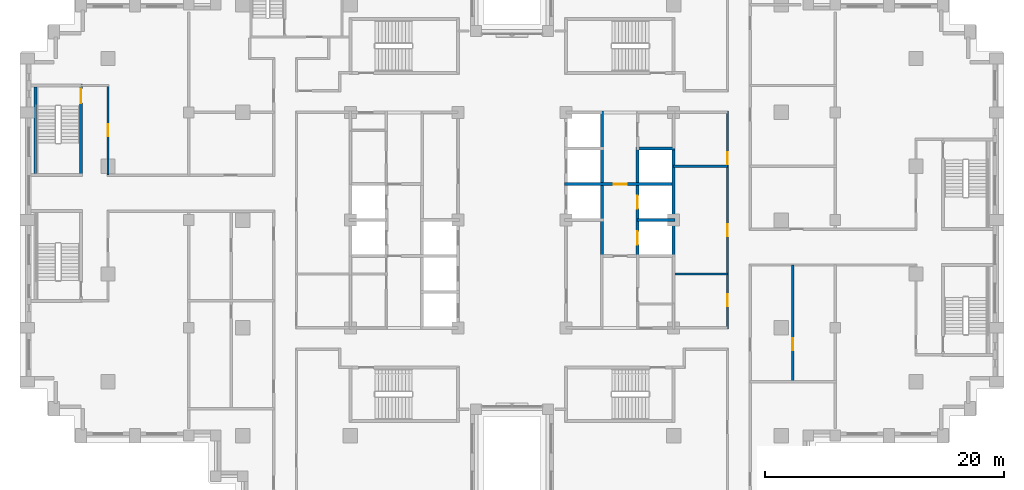
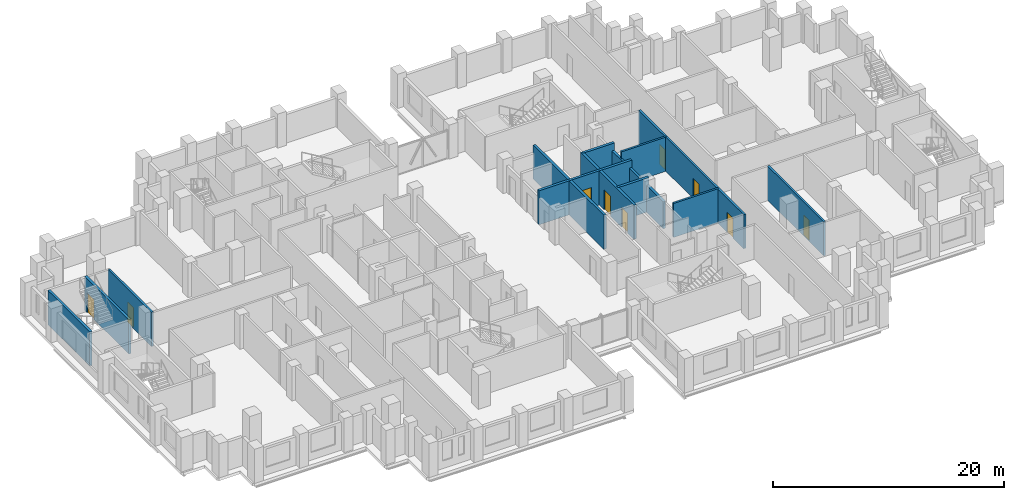
# One storey, part 9 of 16: 13 walls, 9 doors, 9 openings.
"""IFC4 building model written with IfcOpenShell, lengths in metres."""

from ifc_helpers import new_model, si_unit, direction, frame, frame_2d, origin, place, context, subcontext, project, spatial, rectangle, extrude, material, layer, layer_set, type_object, element, fill, save


model = new_model("IFC4")

# Units and contexts
model_context = context("Model", 3, precision=1e-05, world=origin(), true_north=direction((0.0, 1.0)))
body_context = subcontext(model_context, "Body", "Model", "MODEL_VIEW")
ifc_project = project(units=[si_unit("LENGTHUNIT", "METRE"), si_unit("AREAUNIT", "SQUARE_METRE"), si_unit("VOLUMEUNIT", "CUBIC_METRE"), si_unit("PLANEANGLEUNIT", "RADIAN"), si_unit("MASSUNIT", "GRAM", prefix="KILO")], contexts=[model_context])

# Site, building, storey
site_placement = place(None, origin())
site = spatial("IfcSite", under=ifc_project, at=site_placement, CompositionType="ELEMENT")
building_placement = place(site_placement, origin())
building = spatial("IfcBuilding", under=site, at=building_placement, Name="Corbelhall Arena Tower", CompositionType="ELEMENT")
storey_placement = place(building_placement, frame((0.0, 0.0, 116.0)))
storey = spatial("IfcBuildingStorey", under=building, at=storey_placement, Name="L21", CompositionType="ELEMENT", Elevation=116.0)

# Wall, opening, door
ifc_material_1 = material(Name="Gypsum board on steel stud, acoustic", Category="steel")
ifc_layer_1 = layer(ifc_material_1, 0.199951171875)
ifc_layer_set_1 = layer_set([ifc_layer_1], Name="IN-W-DM200")
wall_type_1 = type_object("IfcWallType", Name="IN-W-DM200", PredefinedType="PARTITIONING", material=ifc_layer_set_1)
wall_1_placement = place(storey_placement, frame((-33.75, 11.25, 0.0), z_axis=(0.0, 0.0, 1.0), x_axis=(0.0, -1.0, 0.0)))
wall_1 = element("IfcWall", 1, at=wall_1_placement, inside=storey, type_object=wall_type_1, Name="Partition 005", PredefinedType="PARTITIONING", context=body_context, shape_type="SweptSolid", body=[
    extrude(rectangle(XDim=7.5, YDim=0.199951171875, at=frame_2d((3.75, 0.0))), origin(), (0.0, 0.0, 1.0), 3.599609375),
])
opening_1_placement = place(wall_1_placement, frame((3.25, 0.0, 0.0)))
opening_1 = element("IfcOpeningElement", 2, at=opening_1_placement, cuts=wall_1, Name="Opening 05045", PredefinedType="OPENING", context=body_context, shape_type="SweptSolid", body=[
    extrude(rectangle(XDim=1.0, YDim=2.10009765625, at=frame_2d((0.5, 1.050048828125))), frame((0.0, 0.10009765625, 0.0), z_axis=(0.0, -1.0, 0.0), x_axis=(1.0, 0.0, 0.0)), (0.0, 0.0, 1.0), 0.199951171875),
])
ifc_material_2 = material(Name="Steel door set", Category="steel")
door_type_1 = type_object("IfcDoorType", Name="IN-D-SW100", OperationType="NOTDEFINED", PredefinedType="DOOR", material=ifc_material_2)
door_1_placement = place(opening_1_placement, origin())
door_1 = element("IfcDoor", 3, at=door_1_placement, inside=storey, type_object=door_type_1, Name="Door 045", OperationType="SINGLE_SWING_RIGHT", OverallHeight=2.10009765625, OverallWidth=1.0, PredefinedType="DOOR", context=body_context, shape_type="SweptSolid", body=[
    extrude(rectangle(XDim=1.0, YDim=2.10009765625, at=frame_2d((0.5, 1.050048828125))), frame((0.0, 0.02490234375, 0.0), z_axis=(0.0, -1.0, 0.0), x_axis=(1.0, 0.0, 0.0)), (0.0, 0.0, 1.0), 0.050048828125),
])
fill(opening_1, door_1)

# Walls
for number, where, z_axis, x_axis, name in (
    (4, (13.5, -4.5, 0.0), (0.0, 0.0, 1.0), (1.0, 0.0, 0.0), "Partition 038"),
    (5, (13.5, 4.5, 0.0), (0.0, 0.0, 1.0), (1.0, 0.0, 0.0), "Partition 039"),
):
    element("IfcWall", number, at=place(storey_placement, frame(where, z_axis=z_axis, x_axis=x_axis)), inside=storey, type_object=wall_type_1, Name=name, PredefinedType="PARTITIONING", context=body_context, shape_type="SweptSolid", body=[
        extrude(rectangle(XDim=4.5, YDim=0.199951171875, at=frame_2d((2.25, 0.0))), origin(), (0.0, 0.0, 1.0), 3.599609375),
    ])

# Wall, openings, doors
wall_2_placement = place(storey_placement, frame((18.0, -9.10009765625, 0.0), z_axis=(0.0, 0.0, 1.0), x_axis=(0.0, 1.0, 0.0)))
wall_2 = element("IfcWall", 6, at=wall_2_placement, inside=storey, type_object=wall_type_1, Name="Partition 047", PredefinedType="PARTITIONING", context=body_context, shape_type="SweptSolid", body=[
    extrude(rectangle(XDim=18.2001953125, YDim=0.199951171875, at=frame_2d((9.10009765625, 0.0))), origin(), (0.0, 0.0, 1.0), 3.599609375),
])
opening_2_placement = place(wall_2_placement, frame((1.89990234375, 0.0, 0.0)))
opening_2 = element("IfcOpeningElement", 7, at=opening_2_placement, cuts=wall_2, Name="Opening 05024", PredefinedType="OPENING", context=body_context, shape_type="SweptSolid", body=[
    extrude(rectangle(XDim=1.0, YDim=2.10009765625, at=frame_2d((0.5, 1.050048828125))), frame((0.0, 0.10009765625, 0.0), z_axis=(0.0, -1.0, 0.0), x_axis=(1.0, 0.0, 0.0)), (0.0, 0.0, 1.0), 0.199951171875),
])
opening_3_placement = place(wall_2_placement, frame((7.75, 0.0, 0.0)))
opening_3 = element("IfcOpeningElement", 8, at=opening_3_placement, cuts=wall_2, Name="Opening 05025", PredefinedType="OPENING", context=body_context, shape_type="SweptSolid", body=[
    extrude(rectangle(XDim=1.0, YDim=2.10009765625, at=frame_2d((0.5, 1.050048828125))), frame((0.0, 0.10009765625, 0.0), z_axis=(0.0, -1.0, 0.0), x_axis=(1.0, 0.0, 0.0)), (0.0, 0.0, 1.0), 0.199951171875),
])
opening_4_placement = place(wall_2_placement, frame((13.75, 0.0, 0.0)))
opening_4 = element("IfcOpeningElement", 9, at=opening_4_placement, cuts=wall_2, Name="Opening 05026", PredefinedType="OPENING", context=body_context, shape_type="SweptSolid", body=[
    extrude(rectangle(XDim=1.0, YDim=2.10009765625, at=frame_2d((0.5, 1.050048828125))), frame((0.0, 0.10009765625, 0.0), z_axis=(0.0, -1.0, 0.0), x_axis=(1.0, 0.0, 0.0)), (0.0, 0.0, 1.0), 0.199951171875),
])
door_2_placement = place(opening_2_placement, origin())
door_2 = element("IfcDoor", 10, at=door_2_placement, inside=storey, type_object=door_type_1, Name="Door 024", OperationType="SINGLE_SWING_LEFT", OverallHeight=2.10009765625, OverallWidth=1.0, PredefinedType="DOOR", context=body_context, shape_type="SweptSolid", body=[
    extrude(rectangle(XDim=1.0, YDim=2.10009765625, at=frame_2d((0.5, 1.050048828125))), frame((0.0, 0.02490234375, 0.0), z_axis=(0.0, -1.0, 0.0), x_axis=(1.0, 0.0, 0.0)), (0.0, 0.0, 1.0), 0.050048828125),
])
fill(opening_2, door_2)
door_3_placement = place(opening_3_placement, origin())
door_3 = element("IfcDoor", 11, at=door_3_placement, inside=storey, type_object=door_type_1, Name="Door 025", OperationType="SINGLE_SWING_RIGHT", OverallHeight=2.10009765625, OverallWidth=1.0, PredefinedType="DOOR", context=body_context, shape_type="SweptSolid", body=[
    extrude(rectangle(XDim=1.0, YDim=2.10009765625, at=frame_2d((0.5, 1.050048828125))), frame((0.0, 0.02490234375, 0.0), z_axis=(0.0, -1.0, 0.0), x_axis=(1.0, 0.0, 0.0)), (0.0, 0.0, 1.0), 0.050048828125),
])
fill(opening_3, door_3)
door_4_placement = place(opening_4_placement, origin())
door_4 = element("IfcDoor", 12, at=door_4_placement, inside=storey, type_object=door_type_1, Name="Door 026", OperationType="SINGLE_SWING_LEFT", OverallHeight=2.10009765625, OverallWidth=1.0, PredefinedType="DOOR", context=body_context, shape_type="SweptSolid", body=[
    extrude(rectangle(XDim=1.0, YDim=2.10009765625, at=frame_2d((0.5, 1.050048828125))), frame((0.0, 0.02490234375, 0.0), z_axis=(0.0, -1.0, 0.0), x_axis=(1.0, 0.0, 0.0)), (0.0, 0.0, 1.0), 0.050048828125),
])
fill(opening_4, door_4)

# Wall, opening, door
wall_3_placement = place(storey_placement, frame((23.449951171875, -3.75, 0.0), z_axis=(0.0, 0.0, 1.0), x_axis=(0.0, -1.0, 0.0)))
wall_3 = element("IfcWall", 13, at=wall_3_placement, inside=storey, type_object=wall_type_1, Name="Partition 056", PredefinedType="PARTITIONING", context=body_context, shape_type="SweptSolid", body=[
    extrude(rectangle(XDim=9.75, YDim=0.199951171875, at=frame_2d((4.875, 0.0))), origin(), (0.0, 0.0, 1.0), 3.599609375),
])
opening_5_placement = place(wall_3_placement, frame((6.10009765625, 0.0, 0.0)))
opening_5 = element("IfcOpeningElement", 14, at=opening_5_placement, cuts=wall_3, Name="Opening 05044", PredefinedType="OPENING", context=body_context, shape_type="SweptSolid", body=[
    extrude(rectangle(XDim=1.0, YDim=2.10009765625, at=frame_2d((0.5, 1.050048828125))), frame((0.0, 0.10009765625, 0.0), z_axis=(0.0, -1.0, 0.0), x_axis=(1.0, 0.0, 0.0)), (0.0, 0.0, 1.0), 0.199951171875),
])
door_5_placement = place(opening_5_placement, origin())
door_5 = element("IfcDoor", 15, at=door_5_placement, inside=storey, type_object=door_type_1, Name="Door 044", OperationType="SINGLE_SWING_LEFT", OverallHeight=2.10009765625, OverallWidth=1.0, PredefinedType="DOOR", context=body_context, shape_type="SweptSolid", body=[
    extrude(rectangle(XDim=1.0, YDim=2.10009765625, at=frame_2d((0.5, 1.050048828125))), frame((0.0, 0.02490234375, 0.0), z_axis=(0.0, -1.0, 0.0), x_axis=(1.0, 0.0, 0.0)), (0.0, 0.0, 1.0), 0.050048828125),
])
fill(opening_5, door_5)

ifc_material_3 = material(Name="Concrete C40/50", Category="concrete")
ifc_layer_2 = layer(ifc_material_3, 0.25)
ifc_layer_set_2 = layer_set([ifc_layer_2], Name="IN-W-SH250")
wall_type_2 = type_object("IfcWallType", Name="IN-W-SH250", PredefinedType="SOLIDWALL", material=ifc_layer_set_2)
wall_4_placement = place(storey_placement, frame((4.375, 3.0, 0.0), z_axis=(0.0, 0.0, 1.0), x_axis=(1.0, 0.0, 0.0)))
wall_4 = element("IfcWall", 16, at=wall_4_placement, inside=storey, type_object=wall_type_2, Name="Shaft wall 091", PredefinedType="SOLIDWALL", context=body_context, shape_type="SweptSolid", body=[
    extrude(rectangle(XDim=9.25, YDim=0.25, at=frame_2d((4.625, 0.0))), origin(), (0.0, 0.0, 1.0), 3.599609375),
])
opening_6_placement = place(wall_4_placement, frame((4.125, 0.0, 0.0)))
opening_6 = element("IfcOpeningElement", 17, at=opening_6_placement, cuts=wall_4, Name="Opening 05010", PredefinedType="OPENING", context=body_context, shape_type="SweptSolid", body=[
    extrude(rectangle(XDim=1.10009765625, YDim=2.10009765625, at=frame_2d((0.550048828125, 1.050048828125))), frame((0.0, 0.125, 0.0), z_axis=(0.0, -1.0, 0.0), x_axis=(1.0, 0.0, 0.0)), (0.0, 0.0, 1.0), 0.25),
])
door_type_2 = type_object("IfcDoorType", Name="IN-D-FD110", OperationType="NOTDEFINED", PredefinedType="DOOR", material=ifc_material_2)
door_6_placement = place(opening_6_placement, origin())
door_6 = element("IfcDoor", 18, at=door_6_placement, inside=storey, type_object=door_type_2, Name="Door 010", OperationType="SINGLE_SWING_LEFT", OverallHeight=2.10009765625, OverallWidth=1.10009765625, PredefinedType="DOOR", context=body_context, shape_type="SweptSolid", body=[
    extrude(rectangle(XDim=1.10009765625, YDim=2.10009765625, at=frame_2d((0.550048828125, 1.050048828125))), frame((0.0, 0.02490234375, 0.0), z_axis=(0.0, -1.0, 0.0), x_axis=(1.0, 0.0, 0.0)), (0.0, 0.0, 1.0), 0.050048828125),
])
fill(opening_6, door_6)

# Walls
wall_5_placement = place(storey_placement, frame((7.5, 9.125, 0.0), z_axis=(0.0, 0.0, 1.0), x_axis=(0.0, -1.0, 0.0)))
element("IfcWall", 19, at=wall_5_placement, inside=storey, type_object=wall_type_2, Name="Shaft wall 096", PredefinedType="SOLIDWALL", context=body_context, shape_type="SweptSolid", body=[
    extrude(rectangle(XDim=12.25, YDim=0.25, at=frame_2d((6.125, 0.0))), origin(), (0.0, 0.0, 1.0), 3.599609375),
])
wall_6_placement = place(storey_placement, frame((10.5, 0.0, 0.0), z_axis=(0.0, 0.0, 1.0), x_axis=(1.0, 0.0, 0.0)))
element("IfcWall", 20, at=wall_6_placement, inside=storey, type_object=wall_type_2, Name="Shaft wall 097", PredefinedType="SOLIDWALL", context=body_context, shape_type="SweptSolid", body=[
    extrude(rectangle(XDim=3.125, YDim=0.25, at=frame_2d((1.5625, 0.0))), origin(), (0.0, 0.0, 1.0), 3.599609375),
])

# Wall, openings, doors
wall_7_placement = place(storey_placement, frame((10.5, 6.125, 0.0), z_axis=(0.0, 0.0, 1.0), x_axis=(0.0, -1.0, 0.0)))
wall_7 = element("IfcWall", 21, at=wall_7_placement, inside=storey, type_object=wall_type_2, Name="Shaft wall 098", PredefinedType="SOLIDWALL", context=body_context, shape_type="SweptSolid", body=[
    extrude(rectangle(XDim=9.25, YDim=0.25, at=frame_2d((4.625, 0.0))), origin(), (0.0, 0.0, 1.0), 3.599609375),
])
opening_7_placement = place(wall_7_placement, frame((7.074951171875, 0.0, 0.0)))
opening_7 = element("IfcOpeningElement", 22, at=opening_7_placement, cuts=wall_7, Name="Opening LD", PredefinedType="OPENING", context=body_context, shape_type="SweptSolid", body=[
    extrude(rectangle(XDim=1.10009765625, YDim=2.10009765625, at=frame_2d((0.550048828125, 1.050048828125))), frame((0.0, 0.125, 0.0), z_axis=(0.0, -1.0, 0.0), x_axis=(1.0, 0.0, 0.0)), (0.0, 0.0, 1.0), 0.25),
])
opening_8_placement = place(wall_7_placement, frame((4.074951171875, 0.0, 0.0)))
opening_8 = element("IfcOpeningElement", 23, at=opening_8_placement, cuts=wall_7, Name="Opening LD", PredefinedType="OPENING", context=body_context, shape_type="SweptSolid", body=[
    extrude(rectangle(XDim=1.10009765625, YDim=2.10009765625, at=frame_2d((0.550048828125, 1.050048828125))), frame((0.0, 0.125, 0.0), z_axis=(0.0, -1.0, 0.0), x_axis=(1.0, 0.0, 0.0)), (0.0, 0.0, 1.0), 0.25),
])
door_type_3 = type_object("IfcDoorType", Name="IN-D-LD110", OperationType="NOTDEFINED", PredefinedType="DOOR", material=ifc_material_2)
door_7_placement = place(opening_7_placement, origin())
door_7 = element("IfcDoor", 24, at=door_7_placement, inside=storey, type_object=door_type_3, Name="Landing door E3", OperationType="SLIDING_TO_LEFT", OverallHeight=2.10009765625, OverallWidth=1.10009765625, PredefinedType="DOOR", context=body_context, shape_type="SweptSolid", body=[
    extrude(rectangle(XDim=1.10009765625, YDim=2.10009765625, at=frame_2d((0.550048828125, 1.050048828125))), frame((0.0, 0.02490234375, 0.0), z_axis=(0.0, -1.0, 0.0), x_axis=(1.0, 0.0, 0.0)), (0.0, 0.0, 1.0), 0.050048828125),
])
fill(opening_7, door_7)
door_8_placement = place(opening_8_placement, origin())
door_8 = element("IfcDoor", 25, at=door_8_placement, inside=storey, type_object=door_type_3, Name="Landing door E4", OperationType="SLIDING_TO_LEFT", OverallHeight=2.10009765625, OverallWidth=1.10009765625, PredefinedType="DOOR", context=body_context, shape_type="SweptSolid", body=[
    extrude(rectangle(XDim=1.10009765625, YDim=2.10009765625, at=frame_2d((0.550048828125, 1.050048828125))), frame((0.0, 0.02490234375, 0.0), z_axis=(0.0, -1.0, 0.0), x_axis=(1.0, 0.0, 0.0)), (0.0, 0.0, 1.0), 0.050048828125),
])
fill(opening_8, door_8)

# Walls
wall_8_placement = place(storey_placement, frame((10.5, 6.0, 0.0), z_axis=(0.0, 0.0, 1.0), x_axis=(1.0, 0.0, 0.0)))
element("IfcWall", 26, at=wall_8_placement, inside=storey, type_object=wall_type_2, Name="Shaft wall 099", PredefinedType="SOLIDWALL", context=body_context, shape_type="SweptSolid", body=[
    extrude(rectangle(XDim=3.125, YDim=0.25, at=frame_2d((1.5625, 0.0))), origin(), (0.0, 0.0, 1.0), 3.599609375),
])
ifc_layer_3 = layer(ifc_material_3, 0.25)
ifc_layer_set_3 = layer_set([ifc_layer_3], Name="IN-W-SH250 under beam 762 mm")
wall_type_3 = type_object("IfcWallType", Name="IN-W-SH250 under beam 762 mm", PredefinedType="SOLIDWALL", material=ifc_layer_set_3)
wall_9_placement = place(storey_placement, frame((13.5, 6.0, 0.0), z_axis=(0.0, 0.0, 1.0), x_axis=(0.0, -1.0, 0.0)))
element("IfcWall", 27, at=wall_9_placement, inside=storey, type_object=wall_type_3, Name="Shaft wall 100", PredefinedType="SOLIDWALL", context=body_context, shape_type="SweptSolid", body=[
    extrude(rectangle(XDim=9.0, YDim=0.25, at=frame_2d((4.5, 0.0))), origin(), (0.0, 0.0, 1.0), 2.837646484375),
])

# Wall, opening, door
ifc_layer_4 = layer(ifc_material_3, 0.25)
ifc_layer_set_4 = layer_set([ifc_layer_4], Name="IN-W-ST250")
wall_type_4 = type_object("IfcWallType", Name="IN-W-ST250", PredefinedType="SOLIDWALL", material=ifc_layer_set_4)
wall_10_placement = place(storey_placement, frame((-36.0, 11.375, 0.0), z_axis=(0.0, 0.0, 1.0), x_axis=(0.0, -1.0, 0.0)))
wall_10 = element("IfcWall", 28, at=wall_10_placement, inside=storey, type_object=wall_type_4, Name="Shaft wall 105", PredefinedType="SOLIDWALL", context=body_context, shape_type="SweptSolid", body=[
    extrude(rectangle(XDim=7.625, YDim=0.25, at=frame_2d((3.8125, 0.0))), origin(), (0.0, 0.0, 1.0), 3.599609375),
])
opening_9_placement = place(wall_10_placement, frame((0.39990234375, 0.0, 0.0)))
opening_9 = element("IfcOpeningElement", 29, at=opening_9_placement, cuts=wall_10, Name="Opening 05018", PredefinedType="OPENING", context=body_context, shape_type="SweptSolid", body=[
    extrude(rectangle(XDim=1.199951171875, YDim=2.10009765625, at=frame_2d((0.60009765625, 1.050048828125))), frame((0.0, 0.125, 0.0), z_axis=(0.0, -1.0, 0.0), x_axis=(1.0, 0.0, 0.0)), (0.0, 0.0, 1.0), 0.25),
])
door_type_4 = type_object("IfcDoorType", Name="IN-D-ST120", OperationType="NOTDEFINED", PredefinedType="DOOR", material=ifc_material_2)
door_9_placement = place(opening_9_placement, origin())
door_9 = element("IfcDoor", 30, at=door_9_placement, inside=storey, type_object=door_type_4, Name="Door 018", OperationType="SINGLE_SWING_LEFT", OverallHeight=2.10009765625, OverallWidth=1.199951171875, PredefinedType="DOOR", context=body_context, shape_type="SweptSolid", body=[
    extrude(rectangle(XDim=1.199951171875, YDim=2.10009765625, at=frame_2d((0.60009765625, 1.050048828125))), frame((0.0, 0.02490234375, 0.0), z_axis=(0.0, -1.0, 0.0), x_axis=(1.0, 0.0, 0.0)), (0.0, 0.0, 1.0), 0.050048828125),
])
fill(opening_9, door_9)

# Wall
wall_11_placement = place(storey_placement, frame((-39.824951171875, 3.875, 0.0), z_axis=(0.0, 0.0, 1.0), x_axis=(0.0, 1.0, 0.0)))
element("IfcWall", 31, at=wall_11_placement, inside=storey, type_object=wall_type_4, Name="Shaft wall SC1 facade side", PredefinedType="SOLIDWALL", context=body_context, shape_type="SweptSolid", body=[
    extrude(rectangle(XDim=7.25, YDim=0.25, at=frame_2d((3.625, 0.0))), origin(), (0.0, 0.0, 1.0), 3.599609375),
])

save(model, "model.ifc")
